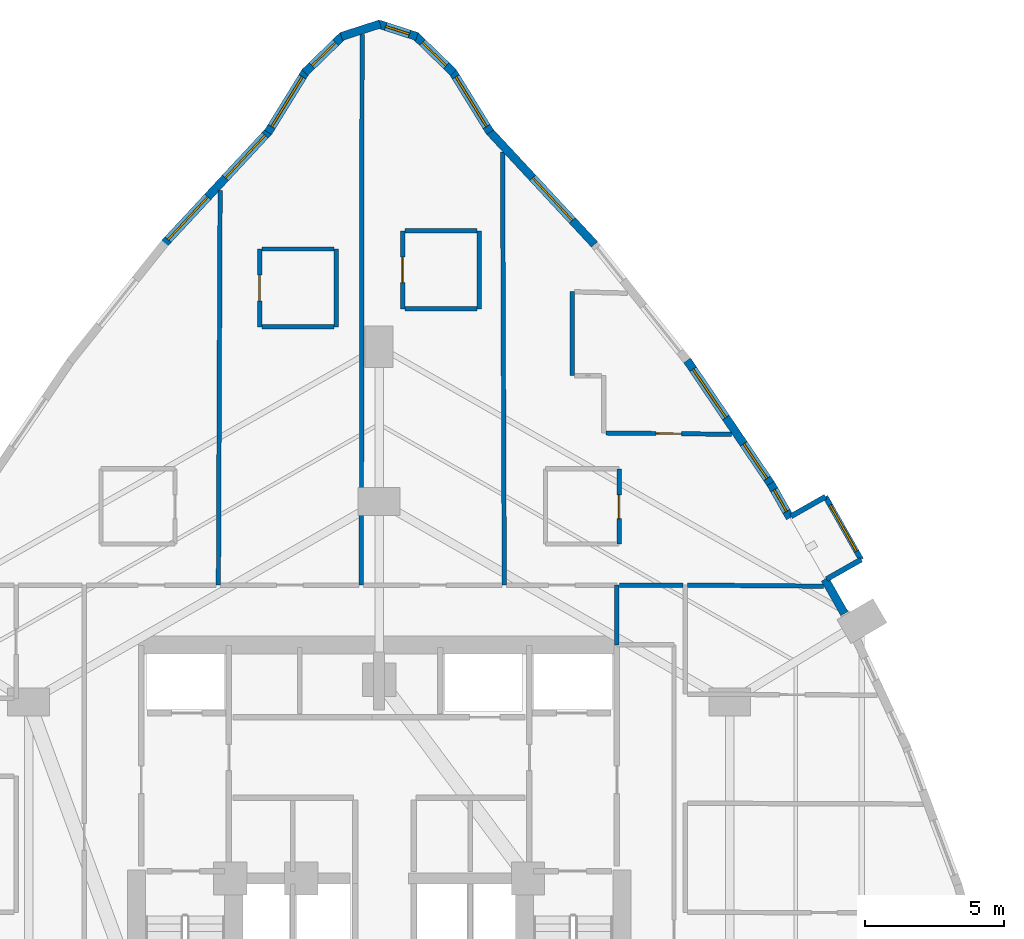
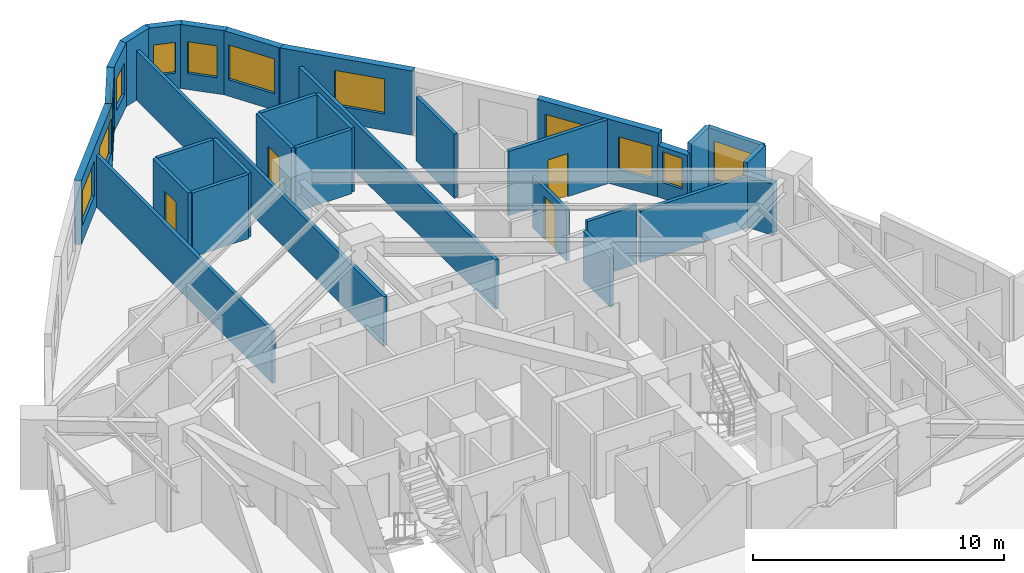
# One storey, part 11 of 13: 31 walls, 12 windows, 4 doors, 16 openings.
"""IFC4 building model written with IfcOpenShell, lengths in metres."""

import ifcopenshell
import ifcopenshell.guid

model = None  # the IFC model being written
_history = None  # IfcOwnerHistory: only IFC2X3 demands one
_inside = {}  # id of a spatial element -> (the spatial element, [elements in it])
_under = {}  # id of a project, library or spatial element -> (it, [spatial elements below it])
_declared = {}  # id of a project -> (the project, [libraries it declares])
_typed = {}  # id of a type object -> (the type object, [elements of that type])
_made_of = {}  # id of a material, layer set ... -> (it, [elements and type objects made of it])


def new_model(schema):
    """Start an empty IFC model of exactly this schema.

    Asked for "IFC4X3", IfcOpenShell would pick the latest addendum, in which some entities
    have other attributes; the version numbers below select the first issue.
    IFC2X3 requires an IfcOwnerHistory on every rooted entity: one is made here for all.
    """
    global model, _history
    if schema == "IFC4X3":
        model = ifcopenshell.file(schema_version=(4, 3, 0, 0))
    else:
        model = ifcopenshell.file(schema=schema)
    _inside.clear()
    _under.clear()
    _declared.clear()
    _typed.clear()
    _made_of.clear()
    _history = None
    if model.schema == "IFC2X3":
        org = make("IfcOrganization", Name="unknown")
        user = make(
            "IfcPersonAndOrganization",
            ThePerson=make("IfcPerson", FamilyName="unknown"),
            TheOrganization=org,
        )
        app = make(
            "IfcApplication",
            ApplicationDeveloper=org,
            Version="unknown",
            ApplicationFullName="unknown",
            ApplicationIdentifier="unknown",
        )
        _history = make(
            "IfcOwnerHistory",
            OwningUser=user,
            OwningApplication=app,
            ChangeAction="ADDED",
            CreationDate=0,
        )
    return model


def make(cls, **values):
    """One entity of the class cls with the attributes given. An attribute that is None is left unset."""
    return model.create_entity(
        cls, **{name: value for name, value in values.items() if value is not None}
    )


def rooted(cls, **values):
    """An entity with a GlobalId (a new one), such as an element, a storey or a relation."""
    return make(cls, GlobalId=ifcopenshell.guid.new(), OwnerHistory=_history, **values)


def si_unit(unit_type, name, prefix=None):
    """IfcSIUnit, for example si_unit("LENGTHUNIT", "METRE", prefix="MILLI")."""
    return make("IfcSIUnit", UnitType=unit_type, Prefix=prefix, Name=name)


def assignment(units):
    """IfcUnitAssignment: the units of a project."""
    return None if units is None else make("IfcUnitAssignment", Units=units)


def point(xyz):
    """IfcCartesianPoint."""
    return None if xyz is None else make("IfcCartesianPoint", Coordinates=xyz)


def direction(xyz):
    """IfcDirection."""
    return None if xyz is None else make("IfcDirection", DirectionRatios=xyz)


def frame(location, z_axis=None, x_axis=None):
    """IfcAxis2Placement3D, a coordinate frame: its origin and axes. An axis left out is left unset."""
    return make(
        "IfcAxis2Placement3D",
        Location=point(location),
        Axis=direction(z_axis),
        RefDirection=direction(x_axis),
    )


def frame_2d(location, x_axis=None):
    """IfcAxis2Placement2D, a coordinate frame in the plane: its origin and x axis."""
    return make(
        "IfcAxis2Placement2D", Location=point(location), RefDirection=direction(x_axis)
    )


def origin():
    """The frame at (0, 0, 0) with its axes left unset."""
    return frame((0.0, 0.0, 0.0))


def place(relative_to, where):
    """IfcLocalPlacement: puts the frame where relative to a parent placement (None: the world)."""
    return make(
        "IfcLocalPlacement", PlacementRelTo=relative_to, RelativePlacement=where
    )


def context(
    kind, dimensions, precision=None, world=None, true_north=None, identifier=None
):
    """IfcGeometricRepresentationContext, for example the 3D "Model" context."""
    return make(
        "IfcGeometricRepresentationContext",
        ContextIdentifier=identifier,
        ContextType=kind,
        CoordinateSpaceDimension=dimensions,
        Precision=precision,
        WorldCoordinateSystem=world,
        TrueNorth=true_north,
    )


def subcontext(parent, identifier, kind, view, scale=None):
    """IfcGeometricRepresentationSubContext, for example "Body" below "Model"."""
    return make(
        "IfcGeometricRepresentationSubContext",
        ContextIdentifier=identifier,
        ContextType=kind,
        ParentContext=parent,
        TargetScale=scale,
        TargetView=view,
    )


def project(units=None, contexts=None):
    """IfcProject with its units and contexts."""
    return rooted(
        "IfcProject",
        Name="project",
        RepresentationContexts=contexts,
        UnitsInContext=assignment(units),
    )


def spatial(cls, under=None, at=None, **own):
    """A site, building, storey or space (cls), placed at a placement, below another one or the project."""
    s = rooted(cls, ObjectPlacement=at, **own)
    if under is not None:
        _under.setdefault(under.id(), (under, []))[1].append(s)
    return s


def profile(cls, at=None, kind="AREA", **sizes):
    """A parametric profile (cls). Its sizes go by their IFC names, for example OverallWidth=200.0."""
    return make(cls, ProfileType=kind, Position=at, **sizes)


def rectangle(**sizes):
    """IfcRectangleProfileDef."""
    return profile("IfcRectangleProfileDef", **sizes)


def extrude(swept, where, along, depth):
    """IfcExtrudedAreaSolid: the profile swept, set in the frame where, extruded along a direction by depth."""
    return make(
        "IfcExtrudedAreaSolid",
        SweptArea=swept,
        Position=where,
        ExtrudedDirection=direction(along),
        Depth=depth,
    )


def shape(context_of_items, identifier, shape_type, items):
    """IfcShapeRepresentation: the items that make up one representation, for example the "Body"."""
    return make(
        "IfcShapeRepresentation",
        ContextOfItems=context_of_items,
        RepresentationIdentifier=identifier,
        RepresentationType=shape_type,
        Items=items,
    )


def material(Name=None, Category=None):
    """IfcMaterial."""
    return make("IfcMaterial", Name=Name, Category=Category)


def layer(
    of_material, thickness, ventilated=None, Name=None, Category=None, Priority=None
):
    """IfcMaterialLayer: one layer of a wall or slab, of a material (None: an air gap)."""
    return make(
        "IfcMaterialLayer",
        Material=of_material,
        LayerThickness=thickness,
        IsVentilated=ventilated,
        Name=Name,
        Category=Category,
        Priority=Priority,
    )


def layer_set(layers, Name=None):
    """IfcMaterialLayerSet."""
    return make("IfcMaterialLayerSet", MaterialLayers=layers, LayerSetName=Name)


def made_of(thing, what):
    """Note that an element or type object is made of a material, layer set ...; save() writes the relation."""
    if what is not None:
        _made_of.setdefault(what.id(), (what, []))[1].append(thing)
    return thing


def type_object(cls, material=None, **own):
    """A type object (cls), such as IfcWallType, which elements share."""
    return made_of(rooted(cls, **own), material)


def element(
    cls,
    number,
    at=None,
    inside=None,
    cuts=None,
    type_object=None,
    material=None,
    context=None,
    identifier="Body",
    shape_type=None,
    held_by="IfcProductDefinitionShape",
    body=None,
    shapes=None,
    **own,
):
    """One element of the class cls, such as IfcWall. Its Tag is "e" and its number.

    at: its placement. inside: the storey or other place that contains it. cuts: it is an
    opening in that element (IfcRelVoidsElement). A single representation is given by context,
    identifier, shape_type and body (its items); several are given by shapes. held_by: the class
    of the entity that holds the representations. save() writes the other relations.
    """
    e = rooted(cls, Tag="e%d" % number, ObjectPlacement=at, **own)
    if body is not None:
        shapes = [shape(context, identifier, shape_type, body)]
    if shapes is not None:
        e.Representation = make(held_by, Representations=shapes)
    if inside is not None:
        _inside.setdefault(inside.id(), (inside, []))[1].append(e)
    if cuts is not None:
        rooted(
            "IfcRelVoidsElement", RelatingBuildingElement=cuts, RelatedOpeningElement=e
        )
    if type_object is not None:
        _typed.setdefault(type_object.id(), (type_object, []))[1].append(e)
    return made_of(e, material)


def fill(opening, filler):
    """IfcRelFillsElement: the door or window that sits in an opening."""
    return rooted(
        "IfcRelFillsElement",
        RelatingOpeningElement=opening,
        RelatedBuildingElement=filler,
    )


def aggregate(whole, parts):
    """IfcRelAggregates: a whole, such as a stair, and the parts it consists of."""
    return rooted("IfcRelAggregates", RelatingObject=whole, RelatedObjects=parts)


def save(model, path):
    """Write the relations noted so far, then the file.

    IfcRelAggregates (storeys below a building ...), IfcRelContainedInSpatialStructure (elements
    in a storey), IfcRelDefinesByType, IfcRelAssociatesMaterial and IfcRelDeclares: one each for
    every whole, place, type object, material and project.
    """
    for whole, parts in _under.values():
        aggregate(whole, parts)
    for where, things in _inside.values():
        rooted(
            "IfcRelContainedInSpatialStructure",
            RelatedElements=things,
            RelatingStructure=where,
        )
    for kind, things in _typed.values():
        rooted("IfcRelDefinesByType", RelatedObjects=things, RelatingType=kind)
    for what, things in _made_of.values():
        rooted("IfcRelAssociatesMaterial", RelatedObjects=things, RelatingMaterial=what)
    for by, libraries in _declared.values():
        rooted("IfcRelDeclares", RelatingContext=by, RelatedDefinitions=libraries)
    model.write(path)


model = new_model("IFC4")

# Units and contexts
model_context = context("Model", 3, precision=1e-05, world=origin(), true_north=direction((0.0, 1.0)))
body_context = subcontext(model_context, "Body", "Model", "MODEL_VIEW")
ifc_project = project(units=[si_unit("LENGTHUNIT", "METRE"), si_unit("AREAUNIT", "SQUARE_METRE"), si_unit("VOLUMEUNIT", "CUBIC_METRE"), si_unit("PLANEANGLEUNIT", "RADIAN"), si_unit("MASSUNIT", "GRAM", prefix="KILO")], contexts=[model_context])

# Site, building, storey
site_placement = place(None, origin())
site = spatial("IfcSite", under=ifc_project, at=site_placement, CompositionType="ELEMENT")
building_placement = place(site_placement, origin())
building = spatial("IfcBuilding", under=site, at=building_placement, Name="Miruveldt Soraemaru", CompositionType="ELEMENT")
storey_placement = place(building_placement, frame((0.0, 0.0, 49.60009765625)))
storey = spatial("IfcBuildingStorey", under=building, at=storey_placement, Name="L13", CompositionType="ELEMENT", Elevation=49.60009765625)

# Walls
ifc_material_1 = material(Name="White powder-coated aluminium EN AW-6060 T6", Category="aluminium")
ifc_layer_1 = layer(ifc_material_1, 0.18994140625, Name="White powder-coated aluminium EN AW-6060 T6", Category="aluminium")
ifc_layer_set_1 = layer_set([ifc_layer_1], Name="White powder-coated aluminium EN AW-6060 T6")
wall_type_1 = type_object("IfcWallType", Name="WALL-BAY-ALU190", PredefinedType="SOLIDWALL", material=ifc_layer_set_1)
wall_1_placement = place(storey_placement, frame((60.087646484375, 54.8125, 0.0), z_axis=(0.0, 0.0, 1.0), x_axis=(0.869914393652, 0.493202745042, 0.0)))
element("IfcWall", 1, at=wall_1_placement, inside=storey, type_object=wall_type_1, Name="L13 Bay Window Side Cheek 6L", PredefinedType="SOLIDWALL", context=body_context, shape_type="SweptSolid", body=[
    extrude(rectangle(XDim=1.425048828125, YDim=0.18994140625, at=frame_2d((0.71240234375, 0.0))), origin(), (0.0, 0.0, 1.0), 2.974853515625),
])
wall_2_placement = place(storey_placement, frame((60.044677734375, 57.77685546875, 0.0), z_axis=(0.0, 0.0, 1.0), x_axis=(-0.869872713252, -0.493276253979, 0.0)))
element("IfcWall", 2, at=wall_2_placement, inside=storey, type_object=wall_type_1, Name="L13 Bay Window Side Cheek 6R", PredefinedType="SOLIDWALL", context=body_context, shape_type="SweptSolid", body=[
    extrude(rectangle(XDim=1.4248046875, YDim=0.18994140625, at=frame_2d((0.71240234375, 0.0))), origin(), (0.0, 0.0, 1.0), 2.974853515625),
])

# Wall, opening, window
wall_3_placement = place(storey_placement, frame((61.327392578125, 55.515380859375, 0.0), z_axis=(0.0, 0.0, 1.0), x_axis=(-0.493365555553, 0.869822067203, 0.0)))
wall_3 = element("IfcWall", 3, at=wall_3_placement, inside=storey, type_object=wall_type_1, Name="L13 Bay Window Front Frame 6", PredefinedType="SOLIDWALL", context=body_context, shape_type="SweptSolid", body=[
    extrude(rectangle(XDim=2.599853515625, YDim=0.18994140625, at=frame_2d((1.2998046875, 0.0))), origin(), (0.0, 0.0, 1.0), 2.974853515625),
])
opening_1_placement = place(wall_3_placement, frame((0.35009765625, 0.0, 0.550048828125)))
opening_1 = element("IfcOpeningElement", 4, at=opening_1_placement, cuts=wall_3, Name="Opening WN-6", PredefinedType="OPENING", context=body_context, shape_type="SweptSolid", body=[
    extrude(rectangle(XDim=1.89990234375, YDim=1.85009765625, at=frame_2d((0.949951171875, 0.925048828125))), frame((0.0, 0.10498046875, 0.0), z_axis=(0.0, -1.0, 0.0), x_axis=(1.0, 0.0, 0.0)), (0.0, 0.0, 1.0), 0.2099609375),
])
ifc_material_2 = material(Name="Triple low-e insulated glazing", Category="glass")
window_type_1 = type_object("IfcWindowType", Name="WIN-BAYW-1900x1850", PartitioningType="SINGLE_PANEL", PredefinedType="WINDOW", material=ifc_material_2)
window_1_placement = place(opening_1_placement, origin())
window_1 = element("IfcWindow", 5, at=window_1_placement, inside=storey, type_object=window_type_1, Name="L13 Projecting Bay Window 6", OverallHeight=1.85009765625, OverallWidth=1.89990234375, PartitioningType="SINGLE_PANEL", PredefinedType="WINDOW", context=body_context, shape_type="SweptSolid", body=[
    extrude(rectangle(XDim=1.89990234375, YDim=1.85009765625, at=frame_2d((0.949951171875, 0.925048828125))), frame((0.0, 0.030029296875, 0.0), z_axis=(0.0, -1.0, 0.0), x_axis=(1.0, 0.0, 0.0)), (0.0, 0.0, 1.0), 0.06005859375),
])
fill(opening_1, window_1)

ifc_material_3 = material(Name="Precast concrete C45/55 (45 MPa)", Category="concrete")
ifc_layer_2 = layer(ifc_material_3, 0.300048828125, Name="Precast concrete C45/55 (45 MPa)", Category="concrete")
ifc_layer_set_2 = layer_set([ifc_layer_2], Name="Precast concrete C45/55 (45 MPa)")
wall_type_2 = type_object("IfcWallType", Name="WALL-EXT-PC300", PredefinedType="SOLIDWALL", material=ifc_layer_set_2)
wall_4_placement = place(storey_placement, frame((47.99169921875, 70.87548828125, 0.0), z_axis=(0.0, 0.0, 1.0), x_axis=(-0.526075259145, 0.850438017563, 0.0)))
wall_4 = element("IfcWall", 6, at=wall_4_placement, inside=storey, type_object=wall_type_2, Name="L13 Precast Concrete Facade Wall 1", PredefinedType="SOLIDWALL", context=body_context, shape_type="SweptSolid", body=[
    extrude(rectangle(XDim=2.587646484375, YDim=0.300048828125, at=frame_2d((1.2939453125, 0.0))), origin(), (0.0, 0.0, 1.0), 3.125),
])
opening_2_placement = place(wall_4_placement, frame((0.243896484375, 0.0, 0.800048828125)))
opening_2 = element("IfcOpeningElement", 7, at=opening_2_placement, cuts=wall_4, Name="Opening WN-1", PredefinedType="OPENING", context=body_context, shape_type="SweptSolid", body=[
    extrude(rectangle(XDim=2.10009765625, YDim=1.699951171875, at=frame_2d((1.050048828125, 0.85009765625))), frame((0.0, 0.16015625, 0.0), z_axis=(0.0, -1.0, 0.0), x_axis=(1.0, 0.0, 0.0)), (0.0, 0.0, 1.0), 0.320068359375),
])
window_type_2 = type_object("IfcWindowType", Name="WIN-PUNCH-2100x1700", PartitioningType="SINGLE_PANEL", PredefinedType="WINDOW", material=ifc_material_2)
window_2_placement = place(opening_2_placement, origin())
window_2 = element("IfcWindow", 8, at=window_2_placement, inside=storey, type_object=window_type_2, Name="L13 Punched Triple-Glazed Window 01.1", OverallHeight=1.699951171875, OverallWidth=2.10009765625, PartitioningType="SINGLE_PANEL", PredefinedType="WINDOW", context=body_context, shape_type="SweptSolid", body=[
    extrude(rectangle(XDim=2.10009765625, YDim=1.699951171875, at=frame_2d((1.050048828125, 0.85009765625))), frame((0.0, 0.030029296875, 0.0), z_axis=(0.0, -1.0, 0.0), x_axis=(1.0, 0.0, 0.0)), (0.0, 0.0, 1.0), 0.06005859375),
])
fill(opening_2, window_2)

wall_5_placement = place(storey_placement, frame((46.673828125, 73.02197265625, 0.0), z_axis=(0.0, 0.0, 1.0), x_axis=(-0.717798051628, 0.696251360558, 0.0)))
wall_5 = element("IfcWall", 9, at=wall_5_placement, inside=storey, type_object=wall_type_2, Name="L13 Precast Concrete Facade Wall 2", PredefinedType="SOLIDWALL", context=body_context, shape_type="SweptSolid", body=[
    extrude(rectangle(XDim=1.914794921875, YDim=0.300048828125, at=frame_2d((0.95751953125, 0.0))), origin(), (0.0, 0.0, 1.0), 3.125),
])
opening_3_placement = place(wall_5_placement, frame((0.35791015625, 0.0, 0.780029296875)))
opening_3 = element("IfcOpeningElement", 10, at=opening_3_placement, cuts=wall_5, Name="Opening WN-4", PredefinedType="OPENING", context=body_context, shape_type="SweptSolid", body=[
    extrude(rectangle(XDim=1.199951171875, YDim=1.550048828125, at=frame_2d((0.60009765625, 0.77490234375))), frame((0.0, 0.16015625, 0.0), z_axis=(0.0, -1.0, 0.0), x_axis=(1.0, 0.0, 0.0)), (0.0, 0.0, 1.0), 0.320068359375),
])
window_type_3 = type_object("IfcWindowType", Name="WIN-PUNCH-1200x1550", PartitioningType="SINGLE_PANEL", PredefinedType="WINDOW", material=ifc_material_2)
window_3_placement = place(opening_3_placement, origin())
window_3 = element("IfcWindow", 11, at=window_3_placement, inside=storey, type_object=window_type_3, Name="L13 Punched Triple-Glazed Window 02.1", OverallHeight=1.550048828125, OverallWidth=1.199951171875, PartitioningType="SINGLE_PANEL", PredefinedType="WINDOW", context=body_context, shape_type="SweptSolid", body=[
    extrude(rectangle(XDim=1.199951171875, YDim=1.550048828125, at=frame_2d((0.60009765625, 0.77490234375))), frame((0.0, 0.030029296875, 0.0), z_axis=(0.0, -1.0, 0.0), x_axis=(1.0, 0.0, 0.0)), (0.0, 0.0, 1.0), 0.06005859375),
])
fill(opening_3, window_3)

wall_6_placement = place(storey_placement, frame((45.357666015625, 74.320068359375, 0.0), z_axis=(0.0, 0.0, 1.0), x_axis=(-0.951451711332, 0.307798052306, 0.0)))
wall_6 = element("IfcWall", 12, at=wall_6_placement, inside=storey, type_object=wall_type_2, Name="L13 Precast Concrete Facade Wall 3", PredefinedType="SOLIDWALL", context=body_context, shape_type="SweptSolid", body=[
    extrude(rectangle(XDim=1.4619140625, YDim=0.300048828125, at=frame_2d((0.73095703125, 0.0))), origin(), (0.0, 0.0, 1.0), 3.125),
])
opening_4_placement = place(wall_6_placement, frame((0.281005859375, 0.0, 0.780029296875)))
opening_4 = element("IfcOpeningElement", 13, at=opening_4_placement, cuts=wall_6, Name="Opening WN-7", PredefinedType="OPENING", context=body_context, shape_type="SweptSolid", body=[
    extrude(rectangle(XDim=0.89990234375, YDim=1.5, at=frame_2d((0.449951171875, 0.75))), frame((0.0, 0.16015625, 0.0), z_axis=(0.0, -1.0, 0.0), x_axis=(1.0, 0.0, 0.0)), (0.0, 0.0, 1.0), 0.320068359375),
])
window_type_4 = type_object("IfcWindowType", Name="WIN-PUNCH-900x1500", PartitioningType="SINGLE_PANEL", PredefinedType="WINDOW", material=ifc_material_2)
window_4_placement = place(opening_4_placement, origin())
window_4 = element("IfcWindow", 14, at=window_4_placement, inside=storey, type_object=window_type_4, Name="L13 Punched Triple-Glazed Window 03.1", OverallHeight=1.5, OverallWidth=0.89990234375, PartitioningType="SINGLE_PANEL", PredefinedType="WINDOW", context=body_context, shape_type="SweptSolid", body=[
    extrude(rectangle(XDim=0.89990234375, YDim=1.5, at=frame_2d((0.449951171875, 0.75))), frame((0.0, 0.030029296875, 0.0), z_axis=(0.0, -1.0, 0.0), x_axis=(1.0, 0.0, 0.0)), (0.0, 0.0, 1.0), 0.06005859375),
])
fill(opening_4, window_4)

# Wall
wall_7_placement = place(storey_placement, frame((44.033203125, 74.77001953125, 0.0), z_axis=(0.0, 0.0, 1.0), x_axis=(-0.951451711332, -0.307798052306, 0.0)))
element("IfcWall", 15, at=wall_7_placement, inside=storey, type_object=wall_type_2, Name="L13 Precast Concrete Facade Wall 4", PredefinedType="SOLIDWALL", context=body_context, shape_type="SweptSolid", body=[
    extrude(rectangle(XDim=1.4619140625, YDim=0.300048828125, at=frame_2d((0.73095703125, 0.0))), origin(), (0.0, 0.0, 1.0), 3.125),
])

# Wall, opening, window
wall_8_placement = place(storey_placement, frame((42.70068359375, 74.355224609375, 0.0), z_axis=(0.0, 0.0, 1.0), x_axis=(-0.717798051628, -0.696251360558, 0.0)))
wall_8 = element("IfcWall", 16, at=wall_8_placement, inside=storey, type_object=wall_type_2, Name="L13 Precast Concrete Facade Wall 5", PredefinedType="SOLIDWALL", context=body_context, shape_type="SweptSolid", body=[
    extrude(rectangle(XDim=1.914794921875, YDim=0.300048828125, at=frame_2d((0.95751953125, 0.0))), origin(), (0.0, 0.0, 1.0), 3.125),
])
opening_5_placement = place(wall_8_placement, frame((0.35791015625, 0.0, 0.780029296875)))
opening_5 = element("IfcOpeningElement", 17, at=opening_5_placement, cuts=wall_8, Name="Opening WN-4", PredefinedType="OPENING", context=body_context, shape_type="SweptSolid", body=[
    extrude(rectangle(XDim=1.199951171875, YDim=1.550048828125, at=frame_2d((0.60009765625, 0.77490234375))), frame((0.0, 0.16015625, 0.0), z_axis=(0.0, -1.0, 0.0), x_axis=(1.0, 0.0, 0.0)), (0.0, 0.0, 1.0), 0.320068359375),
])
window_5_placement = place(opening_5_placement, origin())
window_5 = element("IfcWindow", 18, at=window_5_placement, inside=storey, type_object=window_type_3, Name="L13 Punched Triple-Glazed Window 05.1", OverallHeight=1.550048828125, OverallWidth=1.199951171875, PartitioningType="SINGLE_PANEL", PredefinedType="WINDOW", context=body_context, shape_type="SweptSolid", body=[
    extrude(rectangle(XDim=1.199951171875, YDim=1.550048828125, at=frame_2d((0.60009765625, 0.77490234375))), frame((0.0, 0.030029296875, 0.0), z_axis=(0.0, -1.0, 0.0), x_axis=(1.0, 0.0, 0.0)), (0.0, 0.0, 1.0), 0.06005859375),
])
fill(opening_5, window_5)

wall_9_placement = place(storey_placement, frame((41.36962890625, 73.076171875, 0.0), z_axis=(0.0, 0.0, 1.0), x_axis=(-0.526075259145, -0.850438017563, 0.0)))
wall_9 = element("IfcWall", 19, at=wall_9_placement, inside=storey, type_object=wall_type_2, Name="L13 Precast Concrete Facade Wall 6", PredefinedType="SOLIDWALL", context=body_context, shape_type="SweptSolid", body=[
    extrude(rectangle(XDim=2.587646484375, YDim=0.300048828125, at=frame_2d((1.2939453125, 0.0))), origin(), (0.0, 0.0, 1.0), 3.125),
])
opening_6_placement = place(wall_9_placement, frame((0.243896484375, 0.0, 0.800048828125)))
opening_6 = element("IfcOpeningElement", 20, at=opening_6_placement, cuts=wall_9, Name="Opening WN-1", PredefinedType="OPENING", context=body_context, shape_type="SweptSolid", body=[
    extrude(rectangle(XDim=2.10009765625, YDim=1.699951171875, at=frame_2d((1.050048828125, 0.85009765625))), frame((0.0, 0.16015625, 0.0), z_axis=(0.0, -1.0, 0.0), x_axis=(1.0, 0.0, 0.0)), (0.0, 0.0, 1.0), 0.320068359375),
])
window_6_placement = place(opening_6_placement, origin())
window_6 = element("IfcWindow", 21, at=window_6_placement, inside=storey, type_object=window_type_2, Name="L13 Punched Triple-Glazed Window 06.1", OverallHeight=1.699951171875, OverallWidth=2.10009765625, PartitioningType="SINGLE_PANEL", PredefinedType="WINDOW", context=body_context, shape_type="SweptSolid", body=[
    extrude(rectangle(XDim=2.10009765625, YDim=1.699951171875, at=frame_2d((1.050048828125, 0.85009765625))), frame((0.0, 0.030029296875, 0.0), z_axis=(0.0, -1.0, 0.0), x_axis=(1.0, 0.0, 0.0)), (0.0, 0.0, 1.0), 0.06005859375),
])
fill(opening_6, window_6)

# Wall, openings, windows
wall_10_placement = place(storey_placement, frame((40.050537109375, 70.930908203125, 0.0), z_axis=(0.0, 0.0, 1.0), x_axis=(-0.680870825534, -0.73240352193, 0.0)))
wall_10 = element("IfcWall", 22, at=wall_10_placement, inside=storey, type_object=wall_type_2, Name="L13 Precast Concrete Facade Wall 7", PredefinedType="SOLIDWALL", context=body_context, shape_type="SweptSolid", body=[
    extrude(rectangle(XDim=5.576171875, YDim=0.300048828125, at=frame_2d((2.7880859375, 0.0))), origin(), (0.0, 0.0, 1.0), 3.125),
])
opening_7_placement = place(wall_10_placement, frame((0.215087890625, 0.0, 0.800048828125)))
opening_7 = element("IfcOpeningElement", 23, at=opening_7_placement, cuts=wall_10, Name="Opening WN-1", PredefinedType="OPENING", context=body_context, shape_type="SweptSolid", body=[
    extrude(rectangle(XDim=2.10009765625, YDim=1.699951171875, at=frame_2d((1.050048828125, 0.85009765625))), frame((0.0, 0.16015625, 0.0), z_axis=(0.0, -1.0, 0.0), x_axis=(1.0, 0.0, 0.0)), (0.0, 0.0, 1.0), 0.320068359375),
])
opening_8_placement = place(wall_10_placement, frame((3.242919921875, 0.0, 0.800048828125)))
opening_8 = element("IfcOpeningElement", 24, at=opening_8_placement, cuts=wall_10, Name="Opening WN-1", PredefinedType="OPENING", context=body_context, shape_type="SweptSolid", body=[
    extrude(rectangle(XDim=2.10009765625, YDim=1.699951171875, at=frame_2d((1.050048828125, 0.85009765625))), frame((0.0, 0.16015625, 0.0), z_axis=(0.0, -1.0, 0.0), x_axis=(1.0, 0.0, 0.0)), (0.0, 0.0, 1.0), 0.320068359375),
])
window_7_placement = place(opening_7_placement, origin())
window_7 = element("IfcWindow", 25, at=window_7_placement, inside=storey, type_object=window_type_2, Name="L13 Punched Triple-Glazed Window 07.1", OverallHeight=1.699951171875, OverallWidth=2.10009765625, PartitioningType="SINGLE_PANEL", PredefinedType="WINDOW", context=body_context, shape_type="SweptSolid", body=[
    extrude(rectangle(XDim=2.10009765625, YDim=1.699951171875, at=frame_2d((1.050048828125, 0.85009765625))), frame((0.0, 0.030029296875, 0.0), z_axis=(0.0, -1.0, 0.0), x_axis=(1.0, 0.0, 0.0)), (0.0, 0.0, 1.0), 0.06005859375),
])
fill(opening_7, window_7)
window_8_placement = place(opening_8_placement, origin())
window_8 = element("IfcWindow", 26, at=window_8_placement, inside=storey, type_object=window_type_2, Name="L13 Punched Triple-Glazed Window 07.2", OverallHeight=1.699951171875, OverallWidth=2.10009765625, PartitioningType="SINGLE_PANEL", PredefinedType="WINDOW", context=body_context, shape_type="SweptSolid", body=[
    extrude(rectangle(XDim=2.10009765625, YDim=1.699951171875, at=frame_2d((1.050048828125, 0.85009765625))), frame((0.0, 0.030029296875, 0.0), z_axis=(0.0, -1.0, 0.0), x_axis=(1.0, 0.0, 0.0)), (0.0, 0.0, 1.0), 0.06005859375),
])
fill(opening_8, window_8)

# Wall
wall_11_placement = place(storey_placement, frame((60.724853515625, 53.57763671875, 0.0), z_axis=(0.0, 0.0, 1.0), x_axis=(-0.493355657104, 0.869827681558, 0.0)))
element("IfcWall", 27, at=wall_11_placement, inside=storey, type_object=wall_type_2, Name="L13 Precast Pier Wall 39A", PredefinedType="SOLIDWALL", context=body_context, shape_type="SweptSolid", body=[
    extrude(rectangle(XDim=1.418212890625, YDim=0.300048828125, at=frame_2d((0.708984375, 0.0))), origin(), (0.0, 0.0, 1.0), 2.512939453125),
])

# Wall, opening, window
wall_12_placement = place(storey_placement, frame((58.772216796875, 57.020751953125, 0.0), z_axis=(0.0, 0.0, 1.0), x_axis=(-0.493485882308, 0.869753806524, 0.0)))
wall_12 = element("IfcWall", 28, at=wall_12_placement, inside=storey, type_object=wall_type_2, Name="L13 Precast Pier Wall 39B", PredefinedType="SOLIDWALL", context=body_context, shape_type="SweptSolid", body=[
    extrude(rectangle(XDim=1.41845703125, YDim=0.300048828125, at=frame_2d((0.709228515625, 0.0))), origin(), (0.0, 0.0, 1.0), 2.512939453125),
])
opening_9_placement = place(wall_12_placement, frame((0.259033203125, 0.0, 0.780029296875)))
opening_9 = element("IfcOpeningElement", 29, at=opening_9_placement, cuts=wall_12, Name="Opening WN-7", PredefinedType="OPENING", context=body_context, shape_type="SweptSolid", body=[
    extrude(rectangle(XDim=0.89990234375, YDim=1.5, at=frame_2d((0.449951171875, 0.75))), frame((0.0, 0.16015625, 0.0), z_axis=(0.0, -1.0, 0.0), x_axis=(1.0, 0.0, 0.0)), (0.0, 0.0, 1.0), 0.320068359375),
])
window_9_placement = place(opening_9_placement, origin())
window_9 = element("IfcWindow", 30, at=window_9_placement, inside=storey, type_object=window_type_4, Name="L13 Punched Triple-Glazed Window 39B.1", OverallHeight=1.5, OverallWidth=0.89990234375, PartitioningType="SINGLE_PANEL", PredefinedType="WINDOW", context=body_context, shape_type="SweptSolid", body=[
    extrude(rectangle(XDim=0.89990234375, YDim=1.5, at=frame_2d((0.449951171875, 0.75))), frame((0.0, 0.030029296875, 0.0), z_axis=(0.0, -1.0, 0.0), x_axis=(1.0, 0.0, 0.0)), (0.0, 0.0, 1.0), 0.06005859375),
])
fill(opening_9, window_9)

# Wall, openings, windows
wall_13_placement = place(storey_placement, frame((58.109130859375, 58.195068359375, 0.0), z_axis=(0.0, 0.0, 1.0), x_axis=(-0.560829186842, 0.827931532909, 0.0)))
wall_13 = element("IfcWall", 31, at=wall_13_placement, inside=storey, type_object=wall_type_2, Name="L13 Precast Concrete Facade Wall 40", PredefinedType="SOLIDWALL", context=body_context, shape_type="SweptSolid", body=[
    extrude(rectangle(XDim=5.41015625, YDim=0.300048828125, at=frame_2d((2.705078125, 0.0))), origin(), (0.0, 0.0, 1.0), 3.125),
])
opening_10_placement = place(wall_13_placement, frame((0.2880859375, 0.0, 0.800048828125)))
opening_10 = element("IfcOpeningElement", 32, at=opening_10_placement, cuts=wall_13, Name="Opening WN-3", PredefinedType="OPENING", context=body_context, shape_type="SweptSolid", body=[
    extrude(rectangle(XDim=1.5, YDim=1.60009765625, at=frame_2d((0.75, 0.800048828125))), frame((0.0, 0.16015625, 0.0), z_axis=(0.0, -1.0, 0.0), x_axis=(1.0, 0.0, 0.0)), (0.0, 0.0, 1.0), 0.320068359375),
])
opening_11_placement = place(wall_13_placement, frame((2.93310546875, 0.0, 0.800048828125)))
opening_11 = element("IfcOpeningElement", 33, at=opening_11_placement, cuts=wall_13, Name="Opening WN-1", PredefinedType="OPENING", context=body_context, shape_type="SweptSolid", body=[
    extrude(rectangle(XDim=2.10009765625, YDim=1.699951171875, at=frame_2d((1.050048828125, 0.85009765625))), frame((0.0, 0.16015625, 0.0), z_axis=(0.0, -1.0, 0.0), x_axis=(1.0, 0.0, 0.0)), (0.0, 0.0, 1.0), 0.320068359375),
])
window_type_5 = type_object("IfcWindowType", Name="WIN-PUNCH-1500x1600", PartitioningType="SINGLE_PANEL", PredefinedType="WINDOW", material=ifc_material_2)
window_10_placement = place(opening_10_placement, origin())
window_10 = element("IfcWindow", 34, at=window_10_placement, inside=storey, type_object=window_type_5, Name="L13 Punched Triple-Glazed Window 40.1", OverallHeight=1.60009765625, OverallWidth=1.5, PartitioningType="SINGLE_PANEL", PredefinedType="WINDOW", context=body_context, shape_type="SweptSolid", body=[
    extrude(rectangle(XDim=1.5, YDim=1.60009765625, at=frame_2d((0.75, 0.800048828125))), frame((0.0, 0.030029296875, 0.0), z_axis=(0.0, -1.0, 0.0), x_axis=(1.0, 0.0, 0.0)), (0.0, 0.0, 1.0), 0.06005859375),
])
fill(opening_10, window_10)
window_11_placement = place(opening_11_placement, origin())
window_11 = element("IfcWindow", 35, at=window_11_placement, inside=storey, type_object=window_type_2, Name="L13 Punched Triple-Glazed Window 40.2", OverallHeight=1.699951171875, OverallWidth=2.10009765625, PartitioningType="SINGLE_PANEL", PredefinedType="WINDOW", context=body_context, shape_type="SweptSolid", body=[
    extrude(rectangle(XDim=2.10009765625, YDim=1.699951171875, at=frame_2d((1.050048828125, 0.85009765625))), frame((0.0, 0.030029296875, 0.0), z_axis=(0.0, -1.0, 0.0), x_axis=(1.0, 0.0, 0.0)), (0.0, 0.0, 1.0), 0.06005859375),
])
fill(opening_11, window_11)

# Wall, opening, window
wall_14_placement = place(storey_placement, frame((51.74609375, 66.846923828125, 0.0), z_axis=(0.0, 0.0, 1.0), x_axis=(-0.680870825534, 0.73240352193, 0.0)))
wall_14 = element("IfcWall", 36, at=wall_14_placement, inside=storey, type_object=wall_type_2, Name="L13 Precast Concrete Facade Wall 42", PredefinedType="SOLIDWALL", context=body_context, shape_type="SweptSolid", body=[
    extrude(rectangle(XDim=5.576171875, YDim=0.300048828125, at=frame_2d((2.7880859375, 0.0))), origin(), (0.0, 0.0, 1.0), 3.125),
])
opening_12_placement = place(wall_14_placement, frame((1.169921875, 0.0, 0.800048828125)))
opening_12 = element("IfcOpeningElement", 37, at=opening_12_placement, cuts=wall_14, Name="Opening WN-1", PredefinedType="OPENING", context=body_context, shape_type="SweptSolid", body=[
    extrude(rectangle(XDim=2.10009765625, YDim=1.699951171875, at=frame_2d((1.050048828125, 0.85009765625))), frame((0.0, 0.16015625, 0.0), z_axis=(0.0, -1.0, 0.0), x_axis=(1.0, 0.0, 0.0)), (0.0, 0.0, 1.0), 0.320068359375),
])
window_12_placement = place(opening_12_placement, origin())
window_12 = element("IfcWindow", 38, at=window_12_placement, inside=storey, type_object=window_type_2, Name="L13 Punched Triple-Glazed Window 42.1", OverallHeight=1.699951171875, OverallWidth=2.10009765625, PartitioningType="SINGLE_PANEL", PredefinedType="WINDOW", context=body_context, shape_type="SweptSolid", body=[
    extrude(rectangle(XDim=2.10009765625, YDim=1.699951171875, at=frame_2d((1.050048828125, 0.85009765625))), frame((0.0, 0.030029296875, 0.0), z_axis=(0.0, -1.0, 0.0), x_axis=(1.0, 0.0, 0.0)), (0.0, 0.0, 1.0), 0.06005859375),
])
fill(opening_12, window_12)

# Wall, opening, door
ifc_material_4 = material(Name="Gypsum plasterboard lining", Category="gypsum")
ifc_layer_3 = layer(ifc_material_4, 0.14990234375, Name="Gypsum plasterboard lining", Category="gypsum")
ifc_layer_set_3 = layer_set([ifc_layer_3], Name="Gypsum plasterboard lining")
wall_type_3 = type_object("IfcWallType", Name="WALL-INT-PLUMB", PredefinedType="PLUMBINGWALL", material=ifc_layer_set_3)
wall_15_placement = place(storey_placement, frame((52.6298828125, 56.080078125, 0.0), z_axis=(0.0, 0.0, 1.0), x_axis=(0.0, 1.0, 0.0)))
wall_15 = element("IfcWall", 39, at=wall_15_placement, inside=storey, type_object=wall_type_3, Name="L13 Partition Wall 30", PredefinedType="PLUMBINGWALL", context=body_context, shape_type="SweptSolid", body=[
    extrude(rectangle(XDim=2.699951171875, YDim=0.14990234375, at=frame_2d((1.35009765625, 0.0))), origin(), (0.0, 0.0, 1.0), 2.512939453125),
])
opening_13_placement = place(wall_15_placement, frame((0.909912109375, 0.0, 0.0)))
opening_13 = element("IfcOpeningElement", 40, at=opening_13_placement, cuts=wall_15, Name="Opening FD3", PredefinedType="OPENING", context=body_context, shape_type="SweptSolid", body=[
    extrude(rectangle(XDim=0.85009765625, YDim=2.10009765625, at=frame_2d((0.425048828125, 1.050048828125))), frame((0.0, 0.0849609375, 0.0), z_axis=(0.0, -1.0, 0.0), x_axis=(1.0, 0.0, 0.0)), (0.0, 0.0, 1.0), 0.169921875),
])
ifc_material_5 = material(Name="Anodised aluminium EN AW-6063 T6", Category="aluminium")
door_type_1 = type_object("IfcDoorType", Name="DOOR-FD3-850", OperationType="NOTDEFINED", PredefinedType="DOOR", material=ifc_material_5)
door_1_placement = place(opening_13_placement, origin())
door_1 = element("IfcDoor", 41, at=door_1_placement, inside=storey, type_object=door_type_1, Name="L13 Unit 1304 BTH Door", OperationType="SINGLE_SWING_LEFT", OverallHeight=2.10009765625, OverallWidth=0.85009765625, PredefinedType="DOOR", context=body_context, shape_type="SweptSolid", body=[
    extrude(rectangle(XDim=0.85009765625, YDim=2.10009765625, at=frame_2d((0.425048828125, 1.050048828125))), frame((0.0, 0.02490234375, 0.0), z_axis=(0.0, -1.0, 0.0), x_axis=(1.0, 0.0, 0.0)), (0.0, 0.0, 1.0), 0.050048828125),
])
fill(opening_13, door_1)

ifc_material_6 = material(Name="Concrete C40/50 (40 MPa)", Category="concrete")
ifc_layer_4 = layer(ifc_material_6, 0.159912109375, Name="Concrete C40/50 (40 MPa)", Category="concrete")
ifc_layer_set_4 = layer_set([ifc_layer_4], Name="Concrete C40/50 (40 MPa)")
wall_type_4 = type_object("IfcWallType", Name="WALL-INT-RC160", PredefinedType="SOLIDWALL", material=ifc_layer_set_4)
wall_16_placement = place(storey_placement, frame((56.674072265625, 60.02001953125, 0.0), z_axis=(0.0, 0.0, 1.0), x_axis=(-0.999948313371, 0.010167132662, 0.0)))
wall_16 = element("IfcWall", 42, at=wall_16_placement, inside=storey, type_object=wall_type_4, Name="L13 Partition Wall 34", PredefinedType="SOLIDWALL", context=body_context, shape_type="SweptSolid", body=[
    extrude(rectangle(XDim=4.514404296875, YDim=0.159912109375, at=frame_2d((2.25732421875, 0.0))), origin(), (0.0, 0.0, 1.0), 3.125),
])
opening_14_placement = place(wall_16_placement, frame((1.797119140625, 0.0, 0.0)))
opening_14 = element("IfcOpeningElement", 43, at=opening_14_placement, cuts=wall_16, Name="Opening D3A", PredefinedType="OPENING", context=body_context, shape_type="SweptSolid", body=[
    extrude(rectangle(XDim=0.919921875, YDim=2.10009765625, at=frame_2d((0.4599609375, 1.050048828125))), frame((0.0, 0.08984375, 0.0), z_axis=(0.0, -1.0, 0.0), x_axis=(1.0, 0.0, 0.0)), (0.0, 0.0, 1.0), 0.179931640625),
])
door_type_2 = type_object("IfcDoorType", Name="DOOR-INT-920", OperationType="NOTDEFINED", PredefinedType="DOOR", material=ifc_material_5)
door_2_placement = place(opening_14_placement, origin())
door_2 = element("IfcDoor", 44, at=door_2_placement, inside=storey, type_object=door_type_2, Name="L13 Unit 1304 BD1 Door", OperationType="SINGLE_SWING_RIGHT", OverallHeight=2.10009765625, OverallWidth=0.919921875, PredefinedType="DOOR", context=body_context, shape_type="SweptSolid", body=[
    extrude(rectangle(XDim=0.919921875, YDim=2.10009765625, at=frame_2d((0.4599609375, 1.050048828125))), frame((0.0, 0.02490234375, 0.0), z_axis=(0.0, -1.0, 0.0), x_axis=(1.0, 0.0, 0.0)), (0.0, 0.0, 1.0), 0.050048828125),
])
fill(opening_14, door_2)

wall_17_placement = place(storey_placement, frame((39.702880859375, 66.679931640625, 0.0), z_axis=(0.0, 0.0, 1.0), x_axis=(0.0, -1.0, 0.0)))
wall_17 = element("IfcWall", 45, at=wall_17_placement, inside=storey, type_object=wall_type_4, Name="L13 Partition Wall 22", PredefinedType="SOLIDWALL", context=body_context, shape_type="SweptSolid", body=[
    extrude(rectangle(XDim=2.800048828125, YDim=0.159912109375, at=frame_2d((1.39990234375, 0.0))), origin(), (0.0, 0.0, 1.0), 3.125),
])
opening_15_placement = place(wall_17_placement, frame((0.93994140625, 0.0, 0.0)))
opening_15 = element("IfcOpeningElement", 46, at=opening_15_placement, cuts=wall_17, Name="Opening D3A", PredefinedType="OPENING", context=body_context, shape_type="SweptSolid", body=[
    extrude(rectangle(XDim=0.919921875, YDim=2.10009765625, at=frame_2d((0.4599609375, 1.050048828125))), frame((0.0, 0.08984375, 0.0), z_axis=(0.0, -1.0, 0.0), x_axis=(1.0, 0.0, 0.0)), (0.0, 0.0, 1.0), 0.179931640625),
])
door_3_placement = place(opening_15_placement, origin())
door_3 = element("IfcDoor", 47, at=door_3_placement, inside=storey, type_object=door_type_2, Name="L13 Unit CL02 KIT Door", OperationType="SINGLE_SWING_LEFT", OverallHeight=2.10009765625, OverallWidth=0.919921875, PredefinedType="DOOR", context=body_context, shape_type="SweptSolid", body=[
    extrude(rectangle(XDim=0.919921875, YDim=2.10009765625, at=frame_2d((0.4599609375, 1.050048828125))), frame((0.0, 0.02490234375, 0.0), z_axis=(0.0, -1.0, 0.0), x_axis=(1.0, 0.0, 0.0)), (0.0, 0.0, 1.0), 0.050048828125),
])
fill(opening_15, door_3)

wall_18_placement = place(storey_placement, frame((44.842041015625, 67.330078125, 0.0), z_axis=(0.0, 0.0, 1.0), x_axis=(0.0, -1.0, 0.0)))
wall_18 = element("IfcWall", 48, at=wall_18_placement, inside=storey, type_object=wall_type_4, Name="L13 Partition Wall 27", PredefinedType="SOLIDWALL", context=body_context, shape_type="SweptSolid", body=[
    extrude(rectangle(XDim=2.800048828125, YDim=0.159912109375, at=frame_2d((1.39990234375, 0.0))), origin(), (0.0, 0.0, 1.0), 3.125),
])
opening_16_placement = place(wall_18_placement, frame((0.93994140625, 0.0, 0.0)))
opening_16 = element("IfcOpeningElement", 49, at=opening_16_placement, cuts=wall_18, Name="Opening D3A", PredefinedType="OPENING", context=body_context, shape_type="SweptSolid", body=[
    extrude(rectangle(XDim=0.919921875, YDim=2.10009765625, at=frame_2d((0.4599609375, 1.050048828125))), frame((0.0, 0.08984375, 0.0), z_axis=(0.0, -1.0, 0.0), x_axis=(1.0, 0.0, 0.0)), (0.0, 0.0, 1.0), 0.179931640625),
])
door_4_placement = place(opening_16_placement, origin())
door_4 = element("IfcDoor", 50, at=door_4_placement, inside=storey, type_object=door_type_2, Name="L13 Unit CL03 KIT Door", OperationType="SINGLE_SWING_LEFT", OverallHeight=2.10009765625, OverallWidth=0.919921875, PredefinedType="DOOR", context=body_context, shape_type="SweptSolid", body=[
    extrude(rectangle(XDim=0.919921875, YDim=2.10009765625, at=frame_2d((0.4599609375, 1.050048828125))), frame((0.0, 0.02490234375, 0.0), z_axis=(0.0, -1.0, 0.0), x_axis=(1.0, 0.0, 0.0)), (0.0, 0.0, 1.0), 0.050048828125),
])
fill(opening_16, door_4)

# Walls
wall_19_placement = place(storey_placement, frame((43.362060546875, 54.60009765625, 0.0), z_axis=(0.0, 0.0, 1.0), x_axis=(0.001307817416, 0.999999144806, 0.0)))
element("IfcWall", 51, at=wall_19_placement, inside=storey, type_object=wall_type_4, Name="L13 Partition Wall 24", PredefinedType="SOLIDWALL", context=body_context, shape_type="SweptSolid", body=[
    extrude(rectangle(XDim=19.787841796875, YDim=0.159912109375, at=frame_2d((9.89404296875, 0.0))), origin(), (0.0, 0.0, 1.0), 2.412841796875),
])
wall_20_placement = place(storey_placement, frame((48.5, 54.60302734375, 0.0), z_axis=(0.0, 0.0, 1.0), x_axis=(-0.003922769127, 0.999992305912, 0.0)))
element("IfcWall", 52, at=wall_20_placement, inside=storey, type_object=wall_type_4, Name="L13 Partition Wall 29", PredefinedType="SOLIDWALL", context=body_context, shape_type="SweptSolid", body=[
    extrude(rectangle(XDim=15.55908203125, YDim=0.159912109375, at=frame_2d((7.779541015625, 0.0))), origin(), (0.0, 0.0, 1.0), 2.412841796875),
])
wall_21_placement = place(storey_placement, frame((38.222900390625, 54.60009765625, 0.0), z_axis=(0.0, 0.0, 1.0), x_axis=(0.004370076298, 0.999990451171, 0.0)))
element("IfcWall", 53, at=wall_21_placement, inside=storey, type_object=wall_type_4, Name="L13 Partition Wall 17", PredefinedType="SOLIDWALL", context=body_context, shape_type="SweptSolid", body=[
    extrude(rectangle(XDim=14.190185546875, YDim=0.159912109375, at=frame_2d((7.09521484375, 0.0))), origin(), (0.0, 0.0, 1.0), 2.512939453125),
])
wall_22_placement = place(storey_placement, frame((55.080078125, 54.59912109375, 0.0), z_axis=(0.0, 0.0, 1.0), x_axis=(0.999966589153, -0.008174385436, 0.0)))
element("IfcWall", 54, at=wall_22_placement, inside=storey, type_object=wall_type_4, Name="L13 Partition Wall 40", PredefinedType="SOLIDWALL", context=body_context, shape_type="SweptSolid", body=[
    extrude(rectangle(XDim=4.898193359375, YDim=0.159912109375, at=frame_2d((2.44921875, 0.0))), origin(), (0.0, 0.0, 1.0), 2.512939453125),
])
wall_23_placement = place(storey_placement, frame((50.949951171875, 62.1298828125, 0.0), z_axis=(0.0, 0.0, 1.0), x_axis=(0.0, 1.0, 0.0)))
element("IfcWall", 55, at=wall_23_placement, inside=storey, type_object=wall_type_4, Name="L13 Partition Wall 37", PredefinedType="SOLIDWALL", context=body_context, shape_type="SweptSolid", body=[
    extrude(rectangle(XDim=3.01416015625, YDim=0.159912109375, at=frame_2d((1.507080078125, 0.0))), origin(), (0.0, 0.0, 1.0), 3.125),
])
for number, where, z_axis, x_axis, name in (
    (56, (42.452880859375, 63.8798828125, 0.0), (0.0, 0.0, 1.0), (0.0, 1.0, 0.0), "L13 Partition Wall 20"),
    (57, (47.592041015625, 64.530029296875, 0.0), (0.0, 0.0, 1.0), (0.0, 1.0, 0.0), "L13 Partition Wall 25"),
):
    element("IfcWall", number, at=place(storey_placement, frame(where, z_axis=z_axis, x_axis=x_axis)), inside=storey, type_object=wall_type_4, Name=name, PredefinedType="SOLIDWALL", context=body_context, shape_type="SweptSolid", body=[
        extrude(rectangle(XDim=2.800048828125, YDim=0.159912109375, at=frame_2d((1.39990234375, 0.0))), origin(), (0.0, 0.0, 1.0), 3.125),
    ])
for number, where, z_axis, x_axis, name in (
    (58, (47.511962890625, 67.330078125, 0.0), (0.0, 0.0, 1.0), (-1.0, 0.0, 0.0), "L13 Partition Wall 26"),
    (59, (44.922119140625, 64.530029296875, 0.0), (0.0, 0.0, 1.0), (1.0, 0.0, 0.0), "L13 Partition Wall 28"),
):
    element("IfcWall", number, at=place(storey_placement, frame(where, z_axis=z_axis, x_axis=x_axis)), inside=storey, type_object=wall_type_4, Name=name, PredefinedType="SOLIDWALL", context=body_context, shape_type="SweptSolid", body=[
        extrude(rectangle(XDim=2.58984375, YDim=0.159912109375, at=frame_2d((1.294921875, 0.0))), origin(), (0.0, 0.0, 1.0), 3.125),
    ])
for number, where, z_axis, x_axis, name in (
    (60, (42.373046875, 66.679931640625, 0.0), (0.0, 0.0, 1.0), (-1.0, 0.0, 0.0), "L13 Partition Wall 21"),
    (61, (39.782958984375, 63.8798828125, 0.0), (0.0, 0.0, 1.0), (1.0, 0.0, 0.0), "L13 Partition Wall 23"),
):
    element("IfcWall", number, at=place(storey_placement, frame(where, z_axis=z_axis, x_axis=x_axis)), inside=storey, type_object=wall_type_4, Name=name, PredefinedType="SOLIDWALL", context=body_context, shape_type="SweptSolid", body=[
        extrude(rectangle(XDim=2.590087890625, YDim=0.159912109375, at=frame_2d((1.294921875, 0.0))), origin(), (0.0, 0.0, 1.0), 3.125),
    ])
wall_24_placement = place(storey_placement, frame((52.635009765625, 54.60009765625, 0.0), z_axis=(0.0, 0.0, 1.0), x_axis=(1.0, 0.0, 0.0)))
element("IfcWall", 62, at=wall_24_placement, inside=storey, type_object=wall_type_4, Name="L13 Partition Wall 39", PredefinedType="SOLIDWALL", context=body_context, shape_type="SweptSolid", body=[
    extrude(rectangle(XDim=2.281982421875, YDim=0.159912109375, at=frame_2d((1.14111328125, 0.0))), origin(), (0.0, 0.0, 1.0), 2.86279296875),
])
wall_25_placement = place(storey_placement, frame((52.550048828125, 52.449951171875, 0.0), z_axis=(0.0, 0.0, 1.0), x_axis=(0.0, 1.0, 0.0)))
element("IfcWall", 63, at=wall_25_placement, inside=storey, type_object=wall_type_4, Name="L13 Partition Wall 6", PredefinedType="SOLIDWALL", context=body_context, shape_type="SweptSolid", body=[
    extrude(rectangle(XDim=2.14501953125, YDim=0.159912109375, at=frame_2d((1.072509765625, 0.0))), origin(), (0.0, 0.0, 1.0), 2.412841796875),
])

save(model, "model.ifc")
